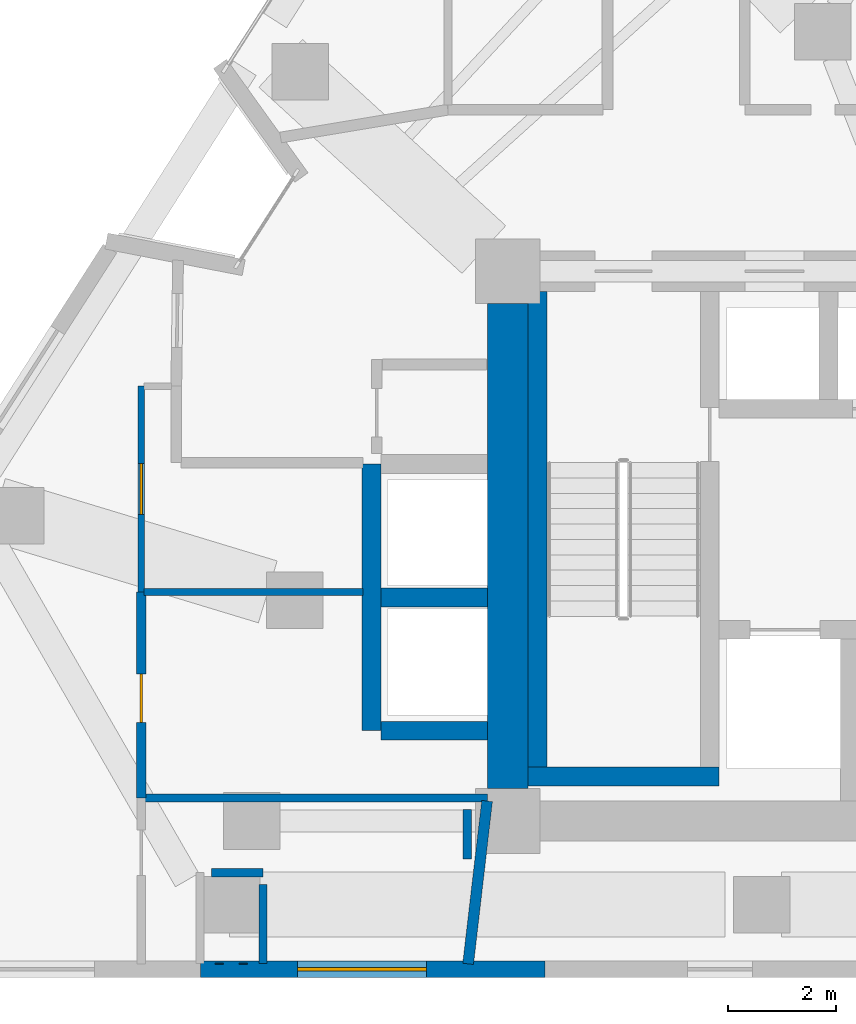
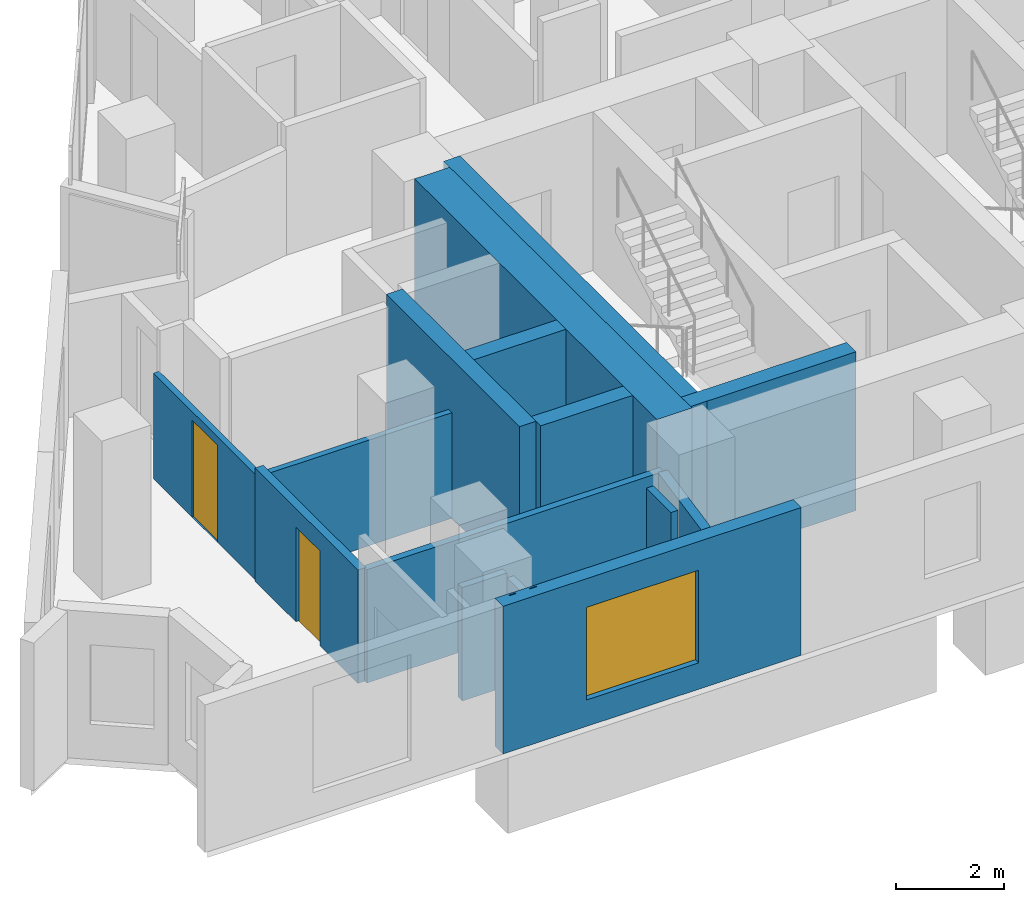
# One storey, part 5 of 11: 17 walls, 2 doors, 1 window, 3 openings.
"""IFC4 building model written with IfcOpenShell, lengths in metres."""

from ifc_helpers import new_model, si_unit, direction, frame, frame_2d, origin, place, context, subcontext, project, spatial, rectangle, extrude, material, layer, layer_set, type_object, element, fill, save


model = new_model("IFC4")

# Units and contexts
model_context = context("Model", 3, precision=1e-05, world=origin(), true_north=direction((0.0, 1.0)))
body_context = subcontext(model_context, "Body", "Model", "MODEL_VIEW")
ifc_project = project(units=[si_unit("LENGTHUNIT", "METRE"), si_unit("AREAUNIT", "SQUARE_METRE"), si_unit("VOLUMEUNIT", "CUBIC_METRE"), si_unit("PLANEANGLEUNIT", "RADIAN"), si_unit("MASSUNIT", "GRAM", prefix="KILO")], contexts=[model_context])

# Site, building, storey
site_placement = place(None, origin())
site = spatial("IfcSite", under=ifc_project, at=site_placement, CompositionType="ELEMENT")
building_placement = place(site_placement, origin())
building = spatial("IfcBuilding", under=site, at=building_placement, Name="Almagre Mirador Tower", CompositionType="ELEMENT")
storey_placement = place(building_placement, frame((0.0, 0.0, 153.60009765625)))
storey = spatial("IfcBuildingStorey", under=building, at=storey_placement, Name="L39", CompositionType="ELEMENT", Elevation=153.60009765625)

# Wall, opening, window
ifc_material_1 = material(Name="Precast concrete C50/60", Category="concrete")
ifc_layer_1 = layer(ifc_material_1, 0.300048828125)
ifc_layer_set_1 = layer_set([ifc_layer_1], Name="Precast concrete C50/60")
wall_type_1 = type_object("IfcWallType", Name="WAL-EXT-300", PredefinedType="SOLIDWALL", material=ifc_layer_set_1)
wall_1_placement = place(storey_placement, frame((28.24609375, 1.800048828125, 0.0), z_axis=(0.0, 0.0, 1.0), x_axis=(-1.0, 0.0, 0.0)))
wall_1 = element("IfcWall", 1, at=wall_1_placement, inside=storey, type_object=wall_type_1, Name="L39 expressed almagre precast frame wall 27", PredefinedType="SOLIDWALL", context=body_context, shape_type="SweptSolid", body=[
    extrude(rectangle(XDim=6.39306640625, YDim=0.300048828125, at=frame_2d((3.196533203125, 0.0))), origin(), (0.0, 0.0, 1.0), 3.349853515625),
])
opening_1_placement = place(wall_1_placement, frame((2.199951171875, 0.0, 0.60009765625)))
opening_1 = element("IfcOpeningElement", 2, at=opening_1_placement, cuts=wall_1, Name="Opening WN-02", PredefinedType="OPENING", context=body_context, shape_type="SweptSolid", body=[
    extrude(rectangle(XDim=2.39990234375, YDim=2.10009765625, at=frame_2d((1.199951171875, 1.050048828125))), frame((0.0, 0.159902, 0.0), z_axis=(0.0, -1.0, 0.0), x_axis=(1.0, 0.0, 0.0)), (0.0, 0.0, 1.0), 0.320049),
])
ifc_material_2 = material(Name="Dark solar-control laminated hurricane glass", Category="glass")
window_type = type_object("IfcWindowType", Name="WIN-2400X2100", PartitioningType="TRIPLE_PANEL_VERTICAL", PredefinedType="WINDOW", material=ifc_material_2)
window_placement = place(opening_1_placement, origin())
window = element("IfcWindow", 3, at=window_placement, inside=storey, type_object=window_type, Name="L39 recessed hurricane window L39-UA-HB", OverallHeight=2.10009765625, OverallWidth=2.39990234375, PartitioningType="SINGLE_PANEL", PredefinedType="WINDOW", context=body_context, shape_type="SweptSolid", body=[
    extrude(rectangle(XDim=2.39990234375, YDim=2.10009765625, at=frame_2d((1.199951171875, 1.050048828125))), frame((0.0, 0.030029296875, 0.0), z_axis=(0.0, -1.0, 0.0), x_axis=(1.0, 0.0, 0.0)), (0.0, 0.0, 1.0), 0.06005859375),
])
fill(opening_1, window)

# Wall, opening, door
ifc_material_3 = material(Name="Gypsum acoustic stud partition", Category="other")
ifc_layer_2 = layer(ifc_material_3, 0.125)
ifc_layer_set_2 = layer_set([ifc_layer_2], Name="Gypsum acoustic stud partition")
wall_type_2 = type_object("IfcWallType", Name="WAL-PRT-125-UTL", PredefinedType="PARTITIONING", material=ifc_layer_set_2)
wall_2_placement = place(storey_placement, frame((20.75, 8.800048828125, 0.0), z_axis=(0.0, 0.0, 1.0), x_axis=(0.0, 1.0, 0.0)))
wall_2 = element("IfcWall", 4, at=wall_2_placement, inside=storey, type_object=wall_type_2, Name="L39 interior partition 028", PredefinedType="PARTITIONING", context=body_context, shape_type="SweptSolid", body=[
    extrude(rectangle(XDim=3.820068359375, YDim=0.125, at=frame_2d((1.91015625, 0.0))), origin(), (0.0, 0.0, 1.0), 2.392822265625),
])
opening_2_placement = place(wall_2_placement, frame((1.43505859375, 0.0, 0.0)))
opening_2 = element("IfcOpeningElement", 5, at=opening_2_placement, cuts=wall_2, Name="Opening UD-01", PredefinedType="OPENING", context=body_context, shape_type="SweptSolid", body=[
    extrude(rectangle(XDim=0.949951171875, YDim=2.199951171875, at=frame_2d((0.47509765625, 1.10009765625))), frame((0.0, 0.0725, 0.0), z_axis=(0.0, -1.0, 0.0), x_axis=(1.0, 0.0, 0.0)), (0.0, 0.0, 1.0), 0.145),
])
ifc_material_4 = material(Name="Solid American walnut timber", Category="wood")
door_type_1 = type_object("IfcDoorType", Name="DOR-UNR-950X2200", OperationType="NOTDEFINED", PredefinedType="DOOR", material=ifc_material_4)
door_1_placement = place(opening_2_placement, origin())
door_1 = element("IfcDoor", 6, at=door_1_placement, inside=storey, type_object=door_type_1, Name="DR-1268 L39 interior door L39-UA-LV to L39-UA-KT", OperationType="SINGLE_SWING_LEFT", OverallHeight=2.199951171875, OverallWidth=0.949951171875, PredefinedType="DOOR", context=body_context, shape_type="SweptSolid", body=[
    extrude(rectangle(XDim=0.949951171875, YDim=2.199951171875, at=frame_2d((0.47509765625, 1.10009765625))), frame((0.0, 0.02490234375, 0.0), z_axis=(0.0, -1.0, 0.0), x_axis=(1.0, 0.0, 0.0)), (0.0, 0.0, 1.0), 0.050048828125),
])
fill(opening_2, door_1)

# Walls
wall_3_placement = place(storey_placement, frame((20.797607421875, 8.800048828125, 0.0), z_axis=(0.0, 0.0, 1.0), x_axis=(1.0, 0.0, 0.0)))
element("IfcWall", 7, at=wall_3_placement, inside=storey, type_object=wall_type_2, Name="L39 interior partition 033", PredefinedType="PARTITIONING", context=body_context, shape_type="SweptSolid", body=[
    extrude(rectangle(XDim=4.0673828125, YDim=0.125, at=frame_2d((2.03369140625, 0.0))), origin(), (0.0, 0.0, 1.0), 2.392822265625),
])
ifc_material_5 = material(Name="Gypsum acoustic stud partition", Category="other")
ifc_layer_3 = layer(ifc_material_5, 0.14990234375)
ifc_layer_set_3 = layer_set([ifc_layer_3], Name="Gypsum acoustic stud partition")
wall_type_3 = type_object("IfcWallType", Name="WAL-PRT-150-STD", PredefinedType="PARTITIONING", material=ifc_layer_set_3)
wall_4_placement = place(storey_placement, frame((27.175048828125, 4.97998046875, 0.0), z_axis=(0.0, 0.0, 1.0), x_axis=(-1.0, 0.0, 0.0)))
element("IfcWall", 8, at=wall_4_placement, inside=storey, type_object=wall_type_3, Name="L39 interior partition 031", PredefinedType="PARTITIONING", context=body_context, shape_type="SweptSolid", body=[
    extrude(rectangle(XDim=6.364990234375, YDim=0.14990234375, at=frame_2d((3.1826171875, 0.0))), origin(), (0.0, 0.0, 1.0), 2.56982421875),
])
wall_5_placement = place(storey_placement, frame((22.199951171875, 1.888916015625, 0.0), z_axis=(0.0, 0.0, 1.0), x_axis=(0.0, 1.0, 0.0)))
element("IfcWall", 9, at=wall_5_placement, inside=storey, type_object=wall_type_3, Name="L39 interior partition 068", PredefinedType="PARTITIONING", context=body_context, shape_type="SweptSolid", body=[
    extrude(rectangle(XDim=0.02001953125, YDim=0.14990234375, at=frame_2d((0.010009765625, 0.0))), origin(), (0.0, 0.0, 1.0), 3.349853515625),
])
wall_6_placement = place(storey_placement, frame((22.054931640625, 3.590087890625, 0.0), z_axis=(0.0, 0.0, 1.0), x_axis=(1.0, 0.0, 0.0)))
element("IfcWall", 10, at=wall_6_placement, inside=storey, type_object=wall_type_3, Name="L39 interior partition 070", PredefinedType="PARTITIONING", context=body_context, shape_type="SweptSolid", body=[
    extrude(rectangle(XDim=0.955078125, YDim=0.14990234375, at=frame_2d((0.4775390625, 0.0))), origin(), (0.0, 0.0, 1.0), 2.56982421875),
])
wall_7_placement = place(storey_placement, frame((23.010009765625, 3.375, 0.0), z_axis=(0.0, 0.0, 1.0), x_axis=(0.0, -1.0, 0.0)))
element("IfcWall", 11, at=wall_7_placement, inside=storey, type_object=wall_type_3, Name="L39 interior partition 071", PredefinedType="PARTITIONING", context=body_context, shape_type="SweptSolid", body=[
    extrude(rectangle(XDim=1.466064453125, YDim=0.14990234375, at=frame_2d((0.73291015625, 0.0))), origin(), (0.0, 0.0, 1.0), 2.56982421875),
])
wall_8_placement = place(storey_placement, frame((22.639892578125, 1.908935546875, 0.0), z_axis=(0.0, 0.0, 1.0), x_axis=(0.0, -1.0, 0.0)))
element("IfcWall", 12, at=wall_8_placement, inside=storey, type_object=wall_type_3, Name="L39 interior partition 072", PredefinedType="PARTITIONING", context=body_context, shape_type="SweptSolid", body=[
    extrude(rectangle(XDim=0.02001953125, YDim=0.14990234375, at=frame_2d((0.010009765625, 0.0))), origin(), (0.0, 0.0, 1.0), 3.349853515625),
])
wall_9_placement = place(storey_placement, frame((26.800048828125, 3.84912109375, 0.0), z_axis=(0.0, 0.0, 1.0), x_axis=(0.0, 1.0, 0.0)))
element("IfcWall", 13, at=wall_9_placement, inside=storey, type_object=wall_type_3, Name="L39 interior partition 074", PredefinedType="PARTITIONING", context=body_context, shape_type="SweptSolid", body=[
    extrude(rectangle(XDim=0.915771484375, YDim=0.14990234375, at=frame_2d((0.4580078125, 0.0))), origin(), (0.0, 0.0, 1.0), 2.435791015625),
])

# Wall, opening, door
ifc_material_6 = material(Name="Gypsum acoustic stud partition", Category="other")
ifc_layer_4 = layer(ifc_material_6, 0.175048828125)
ifc_layer_set_4 = layer_set([ifc_layer_4], Name="Gypsum acoustic stud partition")
wall_type_4 = type_object("IfcWallType", Name="WAL-PRT-175-AC", PredefinedType="PARTITIONING", material=ifc_layer_set_4)
wall_10_placement = place(storey_placement, frame((20.75, 4.97998046875, 0.0), z_axis=(0.0, 0.0, 1.0), x_axis=(0.0, 1.0, 0.0)))
wall_10 = element("IfcWall", 14, at=wall_10_placement, inside=storey, type_object=wall_type_4, Name="L39 interior partition 030", PredefinedType="PARTITIONING", context=body_context, shape_type="SweptSolid", body=[
    extrude(rectangle(XDim=3.820068359375, YDim=0.175048828125, at=frame_2d((1.91015625, 0.0))), origin(), (0.0, 0.0, 1.0), 2.56982421875),
])
opening_3_placement = place(wall_10_placement, frame((1.402587890625, 0.0, 0.0)))
opening_3 = element("IfcOpeningElement", 15, at=opening_3_placement, cuts=wall_10, Name="Opening UD-02", PredefinedType="OPENING", context=body_context, shape_type="SweptSolid", body=[
    extrude(rectangle(XDim=0.89990234375, YDim=2.14990234375, at=frame_2d((0.449951171875, 1.074951171875))), frame((0.0, 0.097402, 0.0), z_axis=(0.0, -1.0, 0.0), x_axis=(1.0, 0.0, 0.0)), (0.0, 0.0, 1.0), 0.195049),
])
ifc_material_7 = material(Name="Solid American walnut timber", Category="wood")
door_type_2 = type_object("IfcDoorType", Name="DOR-UNR-900X2150", OperationType="NOTDEFINED", PredefinedType="DOOR", material=ifc_material_7)
door_2_placement = place(opening_3_placement, origin())
door_2 = element("IfcDoor", 16, at=door_2_placement, inside=storey, type_object=door_type_2, Name="DR-1270 L39 interior door L39-UA-LV to L39-UA-MB", OperationType="SINGLE_SWING_LEFT", OverallHeight=2.14990234375, OverallWidth=0.89990234375, PredefinedType="DOOR", context=body_context, shape_type="SweptSolid", body=[
    extrude(rectangle(XDim=0.89990234375, YDim=2.14990234375, at=frame_2d((0.449951171875, 1.074951171875))), frame((0.0, 0.02490234375, 0.0), z_axis=(0.0, -1.0, 0.0), x_axis=(1.0, 0.0, 0.0)), (0.0, 0.0, 1.0), 0.050048828125),
])
fill(opening_3, door_2)

# Walls
ifc_material_8 = material(Name="Gypsum acoustic stud partition", Category="other")
ifc_layer_5 = layer(ifc_material_8, 0.199951171875)
ifc_layer_set_5 = layer_set([ifc_layer_5], Name="Gypsum acoustic stud partition")
wall_type_5 = type_object("IfcWallType", Name="WAL-PRT-200-EI60", PredefinedType="PARTITIONING", material=ifc_layer_set_5)
wall_11_placement = place(storey_placement, frame((26.81591796875, 1.89892578125, 0.0), z_axis=(0.0, 0.0, 1.0), x_axis=(0.115732894013, 0.993280371921, 0.0)))
element("IfcWall", 17, at=wall_11_placement, inside=storey, type_object=wall_type_5, Name="L39 interior partition 032", PredefinedType="PARTITIONING", context=body_context, shape_type="SweptSolid", body=[
    extrude(rectangle(XDim=3.0419921875, YDim=0.199951171875, at=frame_2d((1.52099609375, 0.0))), origin(), (0.0, 0.0, 1.0), 2.56982421875),
])
ifc_material_9 = material(Name="Concrete C60/75", Category="concrete")
ifc_layer_6 = layer(ifc_material_9, 0.35009765625)
ifc_layer_set_6 = layer_set([ifc_layer_6], Name="Concrete C60/75")
wall_type_6 = type_object("IfcWallType", Name="WAL-SHF-350", PredefinedType="SOLIDWALL", material=ifc_layer_set_6)
wall_12_placement = place(storey_placement, frame((28.10009765625, 5.199951171875, 0.0), z_axis=(0.0, 0.0, 1.0), x_axis=(0.0, 1.0, 0.0)))
element("IfcWall", 18, at=wall_12_placement, inside=storey, type_object=wall_type_6, Name="L39 shaft wall ST1-W", PredefinedType="SOLIDWALL", context=body_context, shape_type="SweptSolid", body=[
    extrude(rectangle(XDim=9.175048828125, YDim=0.35009765625, at=frame_2d((4.58740234375, 0.0))), origin(), (0.0, 0.0, 1.0), 3.599853515625),
])
wall_13_placement = place(storey_placement, frame((27.925048828125, 5.375, 0.0), z_axis=(0.0, 0.0, 1.0), x_axis=(1.0, 0.0, 0.0)))
element("IfcWall", 19, at=wall_13_placement, inside=storey, type_object=wall_type_6, Name="L39 shaft wall ST1-S", PredefinedType="SOLIDWALL", context=body_context, shape_type="SweptSolid", body=[
    extrude(rectangle(XDim=3.550048828125, YDim=0.35009765625, at=frame_2d((1.77490234375, 0.0))), origin(), (0.0, 0.0, 1.0), 3.599853515625),
])
wall_14_placement = place(storey_placement, frame((25.02490234375, 6.22509765625, 0.0), z_axis=(0.0, 0.0, 1.0), x_axis=(0.0, 1.0, 0.0)))
element("IfcWall", 20, at=wall_14_placement, inside=storey, type_object=wall_type_6, Name="L39 shaft wall OL-W", PredefinedType="SOLIDWALL", context=body_context, shape_type="SweptSolid", body=[
    extrude(rectangle(XDim=4.949951171875, YDim=0.35009765625, at=frame_2d((2.47509765625, 0.0))), origin(), (0.0, 0.0, 1.0), 3.599853515625),
])
for number, where, z_axis, x_axis, name in (
    (21, (25.199951171875, 6.22509765625, 0.0), (0.0, 0.0, 1.0), (1.0, 0.0, 0.0), "L39 shaft wall OL-S"),
    (22, (25.199951171875, 8.699951171875, 0.0), (0.0, 0.0, 1.0), (1.0, 0.0, 0.0), "L39 shaft wall OL-M"),
):
    element("IfcWall", number, at=place(storey_placement, frame(where, z_axis=z_axis, x_axis=x_axis)), inside=storey, type_object=wall_type_6, Name=name, PredefinedType="SOLIDWALL", context=body_context, shape_type="SweptSolid", body=[
        extrude(rectangle(XDim=1.97509765625, YDim=0.35009765625, at=frame_2d((0.987548828125, 0.0))), origin(), (0.0, 0.0, 1.0), 3.599853515625),
    ])
ifc_material_10 = material(Name="Concrete C60/75", Category="concrete")
ifc_layer_7 = layer(ifc_material_10, 0.75)
ifc_layer_set_7 = layer_set([ifc_layer_7], Name="Concrete C60/75")
wall_type_7 = type_object("IfcWallType", Name="WAL-SHR-750", PredefinedType="SHEAR", material=ifc_layer_set_7)
wall_15_placement = place(storey_placement, frame((27.550048828125, 5.14990234375, 0.0), z_axis=(0.0, 0.0, 1.0), x_axis=(0.0, 1.0, 0.0)))
element("IfcWall", 23, at=wall_15_placement, inside=storey, type_object=wall_type_7, Name="L39 core shear wall W1", PredefinedType="SHEAR", context=body_context, shape_type="SweptSolid", body=[
    extrude(rectangle(XDim=9.0, YDim=0.75, at=frame_2d((4.5, 0.0))), origin(), (0.0, 0.0, 1.0), 3.599853515625),
])

save(model, "model.ifc")
